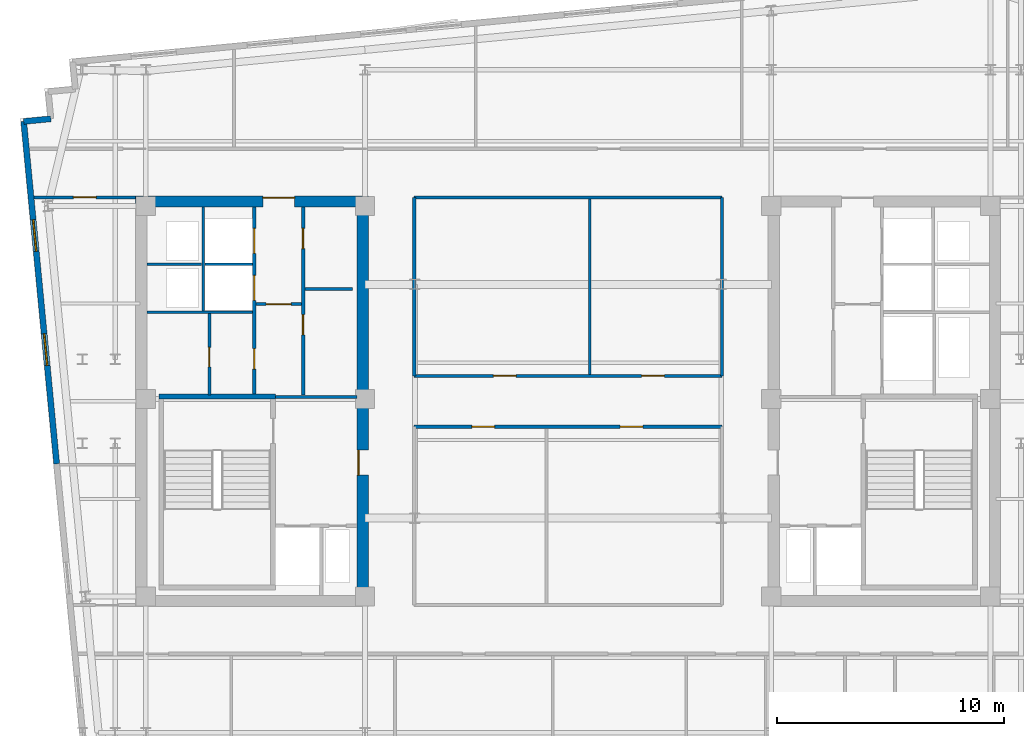
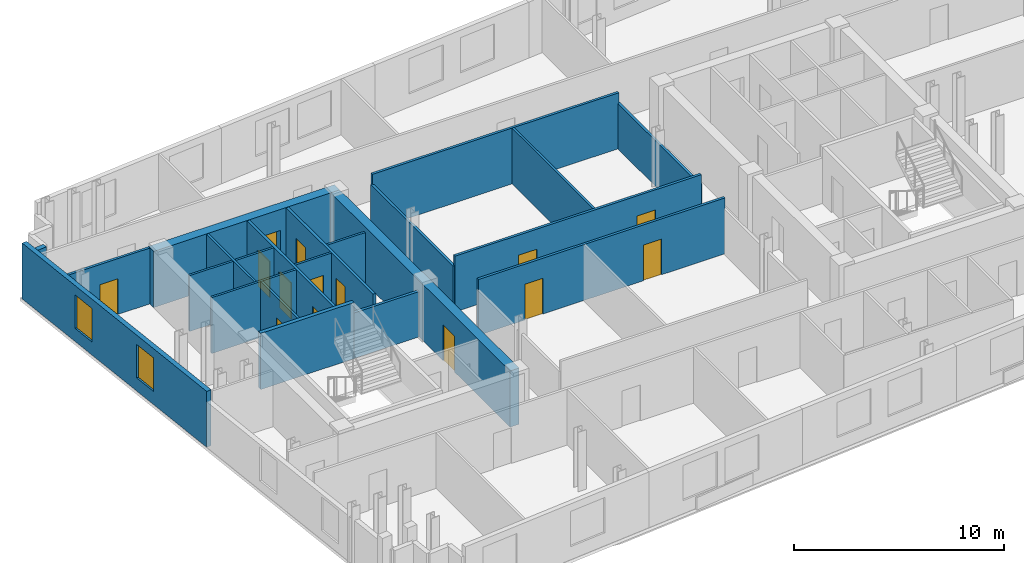
# One storey, part 4 of 9: 22 walls, 14 doors, 2 windows, 16 openings.
"""IFC4 building model written with IfcOpenShell, lengths in metres."""

from ifc_helpers import new_model, si_unit, direction, frame, frame_2d, origin, place, context, subcontext, project, spatial, rectangle, extrude, material, layer, layer_set, type_object, element, fill, save


model = new_model("IFC4")

# Units and contexts
model_context = context("Model", 3, precision=1e-05, world=origin(), true_north=direction((0.0, 1.0)))
body_context = subcontext(model_context, "Body", "Model", "MODEL_VIEW")
ifc_project = project(units=[si_unit("LENGTHUNIT", "METRE"), si_unit("AREAUNIT", "SQUARE_METRE"), si_unit("VOLUMEUNIT", "CUBIC_METRE"), si_unit("PLANEANGLEUNIT", "RADIAN"), si_unit("MASSUNIT", "GRAM", prefix="KILO")], contexts=[model_context])

# Site, building, storey
site_placement = place(None, origin())
site = spatial("IfcSite", under=ifc_project, at=site_placement, CompositionType="ELEMENT")
building_placement = place(site_placement, origin())
building = spatial("IfcBuilding", under=site, at=building_placement, Name="Velakula Bourse", CompositionType="ELEMENT")
storey_placement = place(building_placement, frame((0.0, 0.0, 265.5)))
storey = spatial("IfcBuildingStorey", under=building, at=storey_placement, Name="L72", CompositionType="ELEMENT", Elevation=265.5)

# Wall
ifc_material_1 = material(Name="Concrete M50 (fck 50 MPa)", Category="concrete")
ifc_layer_1 = layer(ifc_material_1, 0.2099609375, Name="Concrete M50 (fck 50 MPa)", Category="concrete")
ifc_layer_set_1 = layer_set([ifc_layer_1], Name="Concrete M50 (fck 50 MPa)")
wall_type_1 = type_object("IfcWallType", Name="WL-CORE-210", PredefinedType="SHEAR", material=ifc_layer_set_1)
wall_1_placement = place(storey_placement, frame((-12.889892578125, 0.205078125, 0.0), z_axis=(0.0, 0.0, 1.0), x_axis=(-1.0, 0.0, 0.0)))
element("IfcWall", 1, at=wall_1_placement, inside=storey, type_object=wall_type_1, Name="L72 Core W Stairwell Shear Wall N", PredefinedType="SHEAR", context=body_context, shape_type="SweptSolid", body=[
    extrude(rectangle(XDim=5.14013671875, YDim=0.2099609375, at=frame_2d((2.570068359375, 0.0))), origin(), (0.0, 0.0, 1.0), 3.27001953125),
])

# Wall, opening, door
ifc_layer_2 = layer(ifc_material_1, 0.5, Name="Concrete M50 (fck 50 MPa)", Category="concrete")
ifc_layer_set_2 = layer_set([ifc_layer_2], Name="Concrete M50 (fck 50 MPa)")
wall_type_2 = type_object("IfcWallType", Name="WL-CORE-500", PredefinedType="SHEAR", material=ifc_layer_set_2)
wall_2_placement = place(storey_placement, frame((-19.050048828125, 8.800048828125, 0.0), z_axis=(0.0, 0.0, 1.0), x_axis=(1.0, 0.0, 0.0)))
wall_2 = element("IfcWall", 2, at=wall_2_placement, inside=storey, type_object=wall_type_2, Name="L72 Core W Shear Wall N", PredefinedType="SHEAR", context=body_context, shape_type="SweptSolid", body=[
    extrude(rectangle(XDim=10.25, YDim=0.5, at=frame_2d((5.125, 0.0))), origin(), (0.0, 0.0, 1.0), 3.27001953125),
])
opening_1_placement = place(wall_2_placement, frame((5.60009765625, 0.0, 0.0)))
opening_1 = element("IfcOpeningElement", 3, at=opening_1_placement, cuts=wall_2, Name="Opening D-LLW", PredefinedType="OPENING", context=body_context, shape_type="SweptSolid", body=[
    extrude(rectangle(XDim=1.39990234375, YDim=2.050048828125, at=frame_2d((0.699951171875, 1.02490234375))), frame((0.0, 0.260009765625, 0.0), z_axis=(0.0, -1.0, 0.0), x_axis=(1.0, 0.0, 0.0)), (0.0, 0.0, 1.0), 0.52001953125),
])
ifc_material_2 = material(Name="Fire-rated hardwood flush architectural door", Category="wood")
door_type_1 = type_object("IfcDoorType", Name="DR-DBL-FD60-1400", OperationType="DOUBLE_DOOR_SINGLE_SWING", PredefinedType="DOOR", material=ifc_material_2)
door_1_placement = place(opening_1_placement, origin())
door_1 = element("IfcDoor", 4, at=door_1_placement, inside=storey, type_object=door_type_1, Name="L72 Core W Lift Lobby Corridor Double Door", OperationType="DOUBLE_DOOR_SINGLE_SWING", OverallHeight=2.050048828125, OverallWidth=1.39990234375, PredefinedType="DOOR", context=body_context, shape_type="SweptSolid", body=[
    extrude(rectangle(XDim=1.39990234375, YDim=2.050048828125, at=frame_2d((0.699951171875, 1.02490234375))), frame((0.0, 0.19482421875, 0.0), z_axis=(0.0, -1.0, 0.0), x_axis=(1.0, 0.0, 0.0)), (0.0, 0.0, 1.0), 0.050048828125),
])
fill(opening_1, door_1)

wall_3_placement = place(storey_placement, frame((-9.050048828125, -8.550048828125, 0.0), z_axis=(0.0, 0.0, 1.0), x_axis=(0.0, 1.0, 0.0)))
wall_3 = element("IfcWall", 5, at=wall_3_placement, inside=storey, type_object=wall_type_2, Name="L72 Core W Shear Wall E", PredefinedType="SHEAR", context=body_context, shape_type="SweptSolid", body=[
    extrude(rectangle(XDim=17.10009765625, YDim=0.5, at=frame_2d((8.550048828125, 0.0))), origin(), (0.0, 0.0, 1.0), 3.27001953125),
])
opening_2_placement = place(wall_3_placement, frame((5.300048828125, 0.0, 0.0)))
opening_2 = element("IfcOpeningElement", 6, at=opening_2_placement, cuts=wall_3, Name="Opening D-FLW", PredefinedType="OPENING", context=body_context, shape_type="SweptSolid", body=[
    extrude(rectangle(XDim=1.10009765625, YDim=2.080078125, at=frame_2d((0.550048828125, 1.0400390625))), frame((0.0, 0.260009765625, 0.0), z_axis=(0.0, -1.0, 0.0), x_axis=(1.0, 0.0, 0.0)), (0.0, 0.0, 1.0), 0.52001953125),
])
ifc_material_3 = material(Name="Galvanised painted hollow steel fire door", Category="steel")
door_type_2 = type_object("IfcDoorType", Name="DR-FD120-1100", OperationType="NOTDEFINED", PredefinedType="DOOR", material=ifc_material_3)
door_2_placement = place(opening_2_placement, origin())
door_2 = element("IfcDoor", 7, at=door_2_placement, inside=storey, type_object=door_type_2, Name="L72 Firefighting Lobby W Corridor Fire Door", OperationType="SINGLE_SWING_LEFT", OverallHeight=2.080078125, OverallWidth=1.10009765625, PredefinedType="DOOR", context=body_context, shape_type="SweptSolid", body=[
    extrude(rectangle(XDim=1.10009765625, YDim=2.080078125, at=frame_2d((0.550048828125, 1.0400390625))), frame((0.0, 0.205078125, 0.0), z_axis=(0.0, -1.0, 0.0), x_axis=(1.0, 0.0, 0.0)), (0.0, 0.0, 1.0), 0.050048828125),
])
fill(opening_2, door_2)

# Wall, openings, windows
ifc_material_4 = material(Name="Buff kilned clay facing brick masonry", Category="masonry")
ifc_layer_3 = layer(ifc_material_4, 0.260009765625, Name="Buff kilned clay facing brick masonry", Category="masonry")
ifc_layer_set_3 = layer_set([ifc_layer_3], Name="Buff kilned clay facing brick masonry")
wall_type_3 = type_object("IfcWallType", Name="WL-EXT-BRK-260", PredefinedType="STANDARD", material=ifc_layer_set_3)
wall_4_placement = place(storey_placement, frame((-22.52734375, -2.75439453125, 0.0), z_axis=(0.0, 0.0, 1.0), x_axis=(-0.095850890337, 0.995395703638, 0.0)))
wall_4 = element("IfcWall", 8, at=wall_4_placement, inside=storey, type_object=wall_type_3, Name="L72 W Brick End Wall W2", PredefinedType="STANDARD", context=body_context, shape_type="SweptSolid", body=[
    extrude(rectangle(XDim=15.150146484375, YDim=0.260009765625, at=frame_2d((7.5751953125, 0.0))), origin(), (0.0, 0.0, 1.0), 3.25),
])
opening_3_placement = place(wall_4_placement, frame((4.35009765625, 0.0, 0.760009765625)))
opening_3 = element("IfcOpeningElement", 9, at=opening_3_placement, cuts=wall_4, Name="Opening W-03", PredefinedType="OPENING", context=body_context, shape_type="SweptSolid", body=[
    extrude(rectangle(XDim=1.39990234375, YDim=1.949951171875, at=frame_2d((0.699951171875, 0.97509765625))), frame((0.0, 0.139892578125, 0.0), z_axis=(0.0, -1.0, 0.0), x_axis=(1.0, 0.0, 0.0)), (0.0, 0.0, 1.0), 0.280029296875),
])
opening_4_placement = place(wall_4_placement, frame((9.39990234375, 0.0, 0.760009765625)))
opening_4 = element("IfcOpeningElement", 10, at=opening_4_placement, cuts=wall_4, Name="Opening W-03", PredefinedType="OPENING", context=body_context, shape_type="SweptSolid", body=[
    extrude(rectangle(XDim=1.39990234375, YDim=1.949951171875, at=frame_2d((0.699951171875, 0.97509765625))), frame((0.0, 0.139892578125, 0.0), z_axis=(0.0, -1.0, 0.0), x_axis=(1.0, 0.0, 0.0)), (0.0, 0.0, 1.0), 0.280029296875),
])
ifc_material_5 = material(Name="Double-glazed solar-control Low-E glass", Category="glass")
window_type = type_object("IfcWindowType", Name="WIN-TWR-1400x2100", PartitioningType="SINGLE_PANEL", PredefinedType="WINDOW", material=ifc_material_5)
window_1_placement = place(opening_3_placement, origin())
window_1 = element("IfcWindow", 11, at=window_1_placement, inside=storey, type_object=window_type, Name="L72 Deep-Set Recessed Window 1", OverallHeight=1.949951171875, OverallWidth=1.39990234375, PartitioningType="SINGLE_PANEL", PredefinedType="WINDOW", context=body_context, shape_type="SweptSolid", body=[
    extrude(rectangle(XDim=1.39990234375, YDim=1.949951171875, at=frame_2d((0.699951171875, 0.97509765625))), frame((0.0, 0.030029296875, 0.0), z_axis=(0.0, -1.0, 0.0), x_axis=(1.0, 0.0, 0.0)), (0.0, 0.0, 1.0), 0.06005859375),
])
fill(opening_3, window_1)
window_2_placement = place(opening_4_placement, origin())
window_2 = element("IfcWindow", 12, at=window_2_placement, inside=storey, type_object=window_type, Name="L72 Deep-Set Recessed Window 2", OverallHeight=1.949951171875, OverallWidth=1.39990234375, PartitioningType="SINGLE_PANEL", PredefinedType="WINDOW", context=body_context, shape_type="SweptSolid", body=[
    extrude(rectangle(XDim=1.39990234375, YDim=1.949951171875, at=frame_2d((0.699951171875, 0.97509765625))), frame((0.0, 0.030029296875, 0.0), z_axis=(0.0, -1.0, 0.0), x_axis=(1.0, 0.0, 0.0)), (0.0, 0.0, 1.0), 0.06005859375),
])
fill(opening_4, window_2)

# Wall
wall_5_placement = place(storey_placement, frame((-22.784912109375, 12.44091796875, 0.0), z_axis=(0.0, 0.0, 1.0), x_axis=(-0.995398960025, -0.095817067274, 0.0)))
element("IfcWall", 13, at=wall_5_placement, inside=storey, type_object=wall_type_3, Name="L72 Serrated Corner Brick Wall NW-4", PredefinedType="STANDARD", context=body_context, shape_type="SweptSolid", body=[
    extrude(rectangle(XDim=1.2001953125, YDim=0.260009765625, at=frame_2d((0.60009765625, 0.0))), origin(), (0.0, 0.0, 1.0), 2.56494140625),
])

# Wall, opening, door
ifc_material_6 = material(Name="Fire-rated double-layer gypsum drywall partition", Category="gypsum")
ifc_layer_4 = layer(ifc_material_6, 0.1201171875, Name="Fire-rated double-layer gypsum drywall partition", Category="gypsum")
ifc_layer_set_4 = layer_set([ifc_layer_4], Name="Fire-rated double-layer gypsum drywall partition")
wall_type_4 = type_object("IfcWallType", Name="WL-PART-120", PredefinedType="STANDARD", material=ifc_layer_set_4)
wall_6_placement = place(storey_placement, frame((-13.75, 4.280029296875, 0.0), z_axis=(0.0, 0.0, 1.0), x_axis=(1.0, 0.0, 0.0)))
wall_6 = element("IfcWall", 14, at=wall_6_placement, inside=storey, type_object=wall_type_4, Name="L72 Interior Partition WL-CRW-L72-LL-K2", PredefinedType="STANDARD", context=body_context, shape_type="SweptSolid", body=[
    extrude(rectangle(XDim=2.0, YDim=0.1201171875, at=frame_2d((1.0, 0.0))), origin(), (0.0, 0.0, 1.0), 3.25),
])
opening_5_placement = place(wall_6_placement, frame((0.449951171875, 0.0, 0.0)))
opening_5 = element("IfcOpeningElement", 15, at=opening_5_placement, cuts=wall_6, Name="Opening D-LK2", PredefinedType="OPENING", context=body_context, shape_type="SweptSolid", body=[
    extrude(rectangle(XDim=1.10009765625, YDim=2.10009765625, at=frame_2d((0.550048828125, 1.050048828125))), frame((0.0, 0.070068359375, 0.0), z_axis=(0.0, -1.0, 0.0), x_axis=(1.0, 0.0, 0.0)), (0.0, 0.0, 1.0), 0.14013671875),
])
door_type_3 = type_object("IfcDoorType", Name="DR-FD60-1100x2100", OperationType="NOTDEFINED", PredefinedType="DOOR", material=ifc_material_2)
door_3_placement = place(opening_5_placement, origin())
door_3 = element("IfcDoor", 16, at=door_3_placement, inside=storey, type_object=door_type_3, Name="L72 Core W Lift Lobby Zone Door", OperationType="SINGLE_SWING_RIGHT", OverallHeight=2.10009765625, OverallWidth=1.10009765625, PredefinedType="DOOR", context=body_context, shape_type="SweptSolid", body=[
    extrude(rectangle(XDim=1.10009765625, YDim=2.10009765625, at=frame_2d((0.550048828125, 1.050048828125))), frame((0.0, 0.02490234375, 0.0), z_axis=(0.0, -1.0, 0.0), x_axis=(1.0, 0.0, 0.0)), (0.0, 0.0, 1.0), 0.050048828125),
])
fill(opening_5, door_3)

# Walls
wall_7_placement = place(storey_placement, frame((-11.60009765625, 4.949951171875, 0.0), z_axis=(0.0, 0.0, 1.0), x_axis=(1.0, 0.0, 0.0)))
element("IfcWall", 17, at=wall_7_placement, inside=storey, type_object=wall_type_4, Name="L72 Interior Partition WL-CRW-L72-RCDIV", PredefinedType="STANDARD", context=body_context, shape_type="SweptSolid", body=[
    extrude(rectangle(XDim=2.10009765625, YDim=0.1201171875, at=frame_2d((1.050048828125, 0.0))), origin(), (0.0, 0.0, 1.0), 3.25),
])
wall_8_placement = place(storey_placement, frame((-18.550048828125, 3.919921875, 0.0), z_axis=(0.0, 0.0, 1.0), x_axis=(1.0, 0.0, 0.0)))
element("IfcWall", 18, at=wall_8_placement, inside=storey, type_object=wall_type_4, Name="L72 Interior Partition WL-CRW-L72-HI-S", PredefinedType="STANDARD", context=body_context, shape_type="SweptSolid", body=[
    extrude(rectangle(XDim=4.650146484375, YDim=0.1201171875, at=frame_2d((2.3251953125, 0.0))), origin(), (0.0, 0.0, 1.0), 3.25),
])
wall_9_placement = place(storey_placement, frame((-18.550048828125, 6.030029296875, 0.0), z_axis=(0.0, 0.0, 1.0), x_axis=(1.0, 0.0, 0.0)))
element("IfcWall", 19, at=wall_9_placement, inside=storey, type_object=wall_type_4, Name="L72 Interior Partition WL-CRW-L72-RIS-MID", PredefinedType="STANDARD", context=body_context, shape_type="SweptSolid", body=[
    extrude(rectangle(XDim=2.400146484375, YDim=0.1201171875, at=frame_2d((1.2001953125, 0.0))), origin(), (0.0, 0.0, 1.0), 3.25),
])
wall_10_placement = place(storey_placement, frame((-16.074951171875, 3.97998046875, 0.0), z_axis=(0.0, 0.0, 1.0), x_axis=(0.0, 1.0, 0.0)))
element("IfcWall", 20, at=wall_10_placement, inside=storey, type_object=wall_type_4, Name="L72 Interior Partition WL-CRW-L72-RIS-F", PredefinedType="STANDARD", context=body_context, shape_type="SweptSolid", body=[
    extrude(rectangle(XDim=4.570068359375, YDim=0.1201171875, at=frame_2d((2.28515625, 0.0))), origin(), (0.0, 0.0, 1.0), 3.25),
])
wall_11_placement = place(storey_placement, frame((-16.0, 6.030029296875, 0.0), z_axis=(0.0, 0.0, 1.0), x_axis=(1.0, 0.0, 0.0)))
element("IfcWall", 21, at=wall_11_placement, inside=storey, type_object=wall_type_4, Name="L72 Interior Partition WL-CRW-L72-HI-DIV", PredefinedType="STANDARD", context=body_context, shape_type="SweptSolid", body=[
    extrude(rectangle(XDim=2.10009765625, YDim=0.1201171875, at=frame_2d((1.050048828125, 0.0))), origin(), (0.0, 0.0, 1.0), 3.25),
])

# Wall, opening, door
wall_12_placement = place(storey_placement, frame((-15.800048828125, 0.27001953125, 0.0), z_axis=(0.0, 0.0, 1.0), x_axis=(0.0, 1.0, 0.0)))
wall_12 = element("IfcWall", 22, at=wall_12_placement, inside=storey, type_object=wall_type_4, Name="L72 Interior Partition WL-CRW-L72-K2", PredefinedType="STANDARD", context=body_context, shape_type="SweptSolid", body=[
    extrude(rectangle(XDim=3.590087890625, YDim=0.1201171875, at=frame_2d((1.794921875, 0.0))), origin(), (0.0, 0.0, 1.0), 3.25),
])
opening_6_placement = place(wall_12_placement, frame((1.25, 0.0, 0.0)))
opening_6 = element("IfcOpeningElement", 23, at=opening_6_placement, cuts=wall_12, Name="Opening D-CE1", PredefinedType="OPENING", context=body_context, shape_type="SweptSolid", body=[
    extrude(rectangle(XDim=0.85009765625, YDim=2.050048828125, at=frame_2d((0.425048828125, 1.02490234375))), frame((0.0, 0.070068359375, 0.0), z_axis=(0.0, -1.0, 0.0), x_axis=(1.0, 0.0, 0.0)), (0.0, 0.0, 1.0), 0.14013671875),
])
door_type_4 = type_object("IfcDoorType", Name="DR-INT-850", OperationType="NOTDEFINED", PredefinedType="DOOR", material=ifc_material_2)
door_4_placement = place(opening_6_placement, origin())
door_4 = element("IfcDoor", 24, at=door_4_placement, inside=storey, type_object=door_type_4, Name="L72 Core Equipment Store Door", OperationType="SINGLE_SWING_RIGHT", OverallHeight=2.050048828125, OverallWidth=0.85009765625, PredefinedType="DOOR", context=body_context, shape_type="SweptSolid", body=[
    extrude(rectangle(XDim=0.85009765625, YDim=2.050048828125, at=frame_2d((0.425048828125, 1.02490234375))), frame((0.0, 0.02490234375, 0.0), z_axis=(0.0, -1.0, 0.0), x_axis=(1.0, 0.0, 0.0)), (0.0, 0.0, 1.0), 0.050048828125),
])
fill(opening_6, door_4)

ifc_layer_5 = layer(ifc_material_6, 0.139892578125, Name="Fire-rated double-layer gypsum drywall partition", Category="gypsum")
ifc_layer_set_5 = layer_set([ifc_layer_5], Name="Fire-rated double-layer gypsum drywall partition")
wall_type_5 = type_object("IfcWallType", Name="WL-PART-140", PredefinedType="STANDARD", material=ifc_layer_set_5)
wall_13_placement = place(storey_placement, frame((-23.526611328125, 8.97998046875, 0.0), z_axis=(0.0, 0.0, 1.0), x_axis=(1.0, 0.0, 0.0)))
wall_13 = element("IfcWall", 25, at=wall_13_placement, inside=storey, type_object=wall_type_5, Name="L72 Interior Partition WL-INT-L72-W-NC", PredefinedType="STANDARD", context=body_context, shape_type="SweptSolid", body=[
    extrude(rectangle(XDim=4.4765625, YDim=0.139892578125, at=frame_2d((2.23828125, 0.0))), origin(), (0.0, 0.0, 1.0), 3.25),
])
opening_7_placement = place(wall_13_placement, frame((1.73828125, 0.0, 0.0)))
opening_7 = element("IfcOpeningElement", 26, at=opening_7_placement, cuts=wall_13, Name="Opening D-OF1", PredefinedType="OPENING", context=body_context, shape_type="SweptSolid", body=[
    extrude(rectangle(XDim=1.0, YDim=2.080078125, at=frame_2d((0.5, 1.0400390625))), frame((0.0, 0.079833984375, 0.0), z_axis=(0.0, -1.0, 0.0), x_axis=(1.0, 0.0, 0.0)), (0.0, 0.0, 1.0), 0.159912109375),
])
door_type_5 = type_object("IfcDoorType", Name="DR-OFF-1000", OperationType="NOTDEFINED", PredefinedType="DOOR", material=ifc_material_2)
door_5_placement = place(opening_7_placement, origin())
door_5 = element("IfcDoor", 27, at=door_5_placement, inside=storey, type_object=door_type_5, Name="L72 Company Secretary Office Door", OperationType="SINGLE_SWING_LEFT", OverallHeight=2.080078125, OverallWidth=1.0, PredefinedType="DOOR", context=body_context, shape_type="SweptSolid", body=[
    extrude(rectangle(XDim=1.0, YDim=2.080078125, at=frame_2d((0.5, 1.0400390625))), frame((0.0, 0.02490234375, 0.0), z_axis=(0.0, -1.0, 0.0), x_axis=(1.0, 0.0, 0.0)), (0.0, 0.0, 1.0), 0.050048828125),
])
fill(opening_7, door_5)

# Wall, openings, doors
wall_14_placement = place(storey_placement, frame((-6.780029296875, 1.1201171875, 0.0), z_axis=(0.0, 0.0, 1.0), x_axis=(1.0, 0.0, 0.0)))
wall_14 = element("IfcWall", 28, at=wall_14_placement, inside=storey, type_object=wall_type_5, Name="L72 Interior Partition WL-INT-L72-MN-IN", PredefinedType="STANDARD", context=body_context, shape_type="SweptSolid", body=[
    extrude(rectangle(XDim=13.56005859375, YDim=0.139892578125, at=frame_2d((6.780029296875, 0.0))), origin(), (0.0, 0.0, 1.0), 3.25),
])
opening_8_placement = place(wall_14_placement, frame((3.490966796875, 0.0, 0.0)))
opening_8 = element("IfcOpeningElement", 29, at=opening_8_placement, cuts=wall_14, Name="Opening D-OF1", PredefinedType="OPENING", context=body_context, shape_type="SweptSolid", body=[
    extrude(rectangle(XDim=1.0, YDim=2.080078125, at=frame_2d((0.5, 1.0400390625))), frame((0.0, 0.079833984375, 0.0), z_axis=(0.0, -1.0, 0.0), x_axis=(1.0, 0.0, 0.0)), (0.0, 0.0, 1.0), 0.159912109375),
])
opening_9_placement = place(wall_14_placement, frame((10.01904296875, 0.0, 0.0)))
opening_9 = element("IfcOpeningElement", 30, at=opening_9_placement, cuts=wall_14, Name="Opening D-OF1", PredefinedType="OPENING", context=body_context, shape_type="SweptSolid", body=[
    extrude(rectangle(XDim=1.0, YDim=2.080078125, at=frame_2d((0.5, 1.0400390625))), frame((0.0, 0.079833984375, 0.0), z_axis=(0.0, -1.0, 0.0), x_axis=(1.0, 0.0, 0.0)), (0.0, 0.0, 1.0), 0.159912109375),
])
door_6_placement = place(opening_8_placement, origin())
door_6 = element("IfcDoor", 31, at=door_6_placement, inside=storey, type_object=door_type_5, Name="L72 Issuer Relations Office Door", OperationType="SINGLE_SWING_LEFT", OverallHeight=2.080078125, OverallWidth=1.0, PredefinedType="DOOR", context=body_context, shape_type="SweptSolid", body=[
    extrude(rectangle(XDim=1.0, YDim=2.080078125, at=frame_2d((0.5, 1.0400390625))), frame((0.0, 0.02490234375, 0.0), z_axis=(0.0, -1.0, 0.0), x_axis=(1.0, 0.0, 0.0)), (0.0, 0.0, 1.0), 0.050048828125),
])
fill(opening_8, door_6)
door_7_placement = place(opening_9_placement, origin())
door_7 = element("IfcDoor", 32, at=door_7_placement, inside=storey, type_object=door_type_5, Name="L72 Asset Allocation Office Door", OperationType="SINGLE_SWING_RIGHT", OverallHeight=2.080078125, OverallWidth=1.0, PredefinedType="DOOR", context=body_context, shape_type="SweptSolid", body=[
    extrude(rectangle(XDim=1.0, YDim=2.080078125, at=frame_2d((0.5, 1.0400390625))), frame((0.0, 0.02490234375, 0.0), z_axis=(0.0, -1.0, 0.0), x_axis=(1.0, 0.0, 0.0)), (0.0, 0.0, 1.0), 0.050048828125),
])
fill(opening_9, door_7)

# Walls
wall_15_placement = place(storey_placement, frame((-6.780029296875, 8.97998046875, 0.0), z_axis=(0.0, 0.0, 1.0), x_axis=(1.0, 0.0, 0.0)))
element("IfcWall", 33, at=wall_15_placement, inside=storey, type_object=wall_type_5, Name="L72 Interior Partition WL-INT-L72-MN-OUT", PredefinedType="STANDARD", context=body_context, shape_type="SweptSolid", body=[
    extrude(rectangle(XDim=13.56005859375, YDim=0.139892578125, at=frame_2d((6.780029296875, 0.0))), origin(), (0.0, 0.0, 1.0), 3.25),
])
for number, where, z_axis, x_axis, name in (
    (34, (-6.780029296875, 1.1201171875, 0.0), (0.0, 0.0, 1.0), (0.0, 1.0, 0.0), "L72 Interior Partition WL-INT-L72-MN-W"),
    (35, (6.780029296875, 1.1201171875, 0.0), (0.0, 0.0, 1.0), (0.0, 1.0, 0.0), "L72 Interior Partition WL-INT-L72-MN-E"),
):
    element("IfcWall", number, at=place(storey_placement, frame(where, z_axis=z_axis, x_axis=x_axis)), inside=storey, type_object=wall_type_5, Name=name, PredefinedType="STANDARD", context=body_context, shape_type="SweptSolid", body=[
        extrude(rectangle(XDim=7.85986328125, YDim=0.139892578125, at=frame_2d((3.929931640625, 0.0))), origin(), (0.0, 0.0, 1.0), 2.64501953125),
    ])
wall_16_placement = place(storey_placement, frame((0.949951171875, 1.18994140625, 0.0), z_axis=(0.0, 0.0, 1.0), x_axis=(0.0, 1.0, 0.0)))
element("IfcWall", 36, at=wall_16_placement, inside=storey, type_object=wall_type_5, Name="L72 Interior Partition WL-INT-L72-MN-V1", PredefinedType="STANDARD", context=body_context, shape_type="SweptSolid", body=[
    extrude(rectangle(XDim=7.719970703125, YDim=0.1201171875, at=frame_2d((3.85986328125, 0.0))), origin(), (0.0, 0.0, 1.0), 3.25),
])

# Wall, openings, doors
wall_17_placement = place(storey_placement, frame((-6.780029296875, -1.1201171875, 0.0), z_axis=(0.0, 0.0, 1.0), x_axis=(1.0, 0.0, 0.0)))
wall_17 = element("IfcWall", 37, at=wall_17_placement, inside=storey, type_object=wall_type_5, Name="L72 Interior Partition WL-INT-L72-MS-IN", PredefinedType="STANDARD", context=body_context, shape_type="SweptSolid", body=[
    extrude(rectangle(XDim=13.56005859375, YDim=0.139892578125, at=frame_2d((6.780029296875, 0.0))), origin(), (0.0, 0.0, 1.0), 3.25),
])
opening_10_placement = place(wall_17_placement, frame((2.541015625, 0.0, 0.0)))
opening_10 = element("IfcOpeningElement", 38, at=opening_10_placement, cuts=wall_17, Name="Opening D-OF1", PredefinedType="OPENING", context=body_context, shape_type="SweptSolid", body=[
    extrude(rectangle(XDim=1.0, YDim=2.080078125, at=frame_2d((0.5, 1.0400390625))), frame((0.0, 0.079833984375, 0.0), z_axis=(0.0, -1.0, 0.0), x_axis=(1.0, 0.0, 0.0)), (0.0, 0.0, 1.0), 0.159912109375),
])
opening_11_placement = place(wall_17_placement, frame((9.069091796875, 0.0, 0.0)))
opening_11 = element("IfcOpeningElement", 39, at=opening_11_placement, cuts=wall_17, Name="Opening D-OF1", PredefinedType="OPENING", context=body_context, shape_type="SweptSolid", body=[
    extrude(rectangle(XDim=1.0, YDim=2.080078125, at=frame_2d((0.5, 1.0400390625))), frame((0.0, 0.079833984375, 0.0), z_axis=(0.0, -1.0, 0.0), x_axis=(1.0, 0.0, 0.0)), (0.0, 0.0, 1.0), 0.159912109375),
])
door_8_placement = place(opening_10_placement, origin())
door_8 = element("IfcDoor", 40, at=door_8_placement, inside=storey, type_object=door_type_5, Name="L72 Company Secretary Office Door", OperationType="SINGLE_SWING_LEFT", OverallHeight=2.080078125, OverallWidth=1.0, PredefinedType="DOOR", context=body_context, shape_type="SweptSolid", body=[
    extrude(rectangle(XDim=1.0, YDim=2.080078125, at=frame_2d((0.5, 1.0400390625))), frame((0.0, 0.02490234375, 0.0), z_axis=(0.0, -1.0, 0.0), x_axis=(1.0, 0.0, 0.0)), (0.0, 0.0, 1.0), 0.050048828125),
])
fill(opening_10, door_8)
door_9_placement = place(opening_11_placement, origin())
door_9 = element("IfcDoor", 41, at=door_9_placement, inside=storey, type_object=door_type_5, Name="L72 General Counsel Office Door", OperationType="SINGLE_SWING_RIGHT", OverallHeight=2.080078125, OverallWidth=1.0, PredefinedType="DOOR", context=body_context, shape_type="SweptSolid", body=[
    extrude(rectangle(XDim=1.0, YDim=2.080078125, at=frame_2d((0.5, 1.0400390625))), frame((0.0, 0.02490234375, 0.0), z_axis=(0.0, -1.0, 0.0), x_axis=(1.0, 0.0, 0.0)), (0.0, 0.0, 1.0), 0.050048828125),
])
fill(opening_11, door_9)

# Wall
ifc_material_7 = material(Name="Autoclaved aerated concrete blockwork masonry", Category="masonry")
ifc_layer_6 = layer(ifc_material_7, 0.14990234375, Name="Autoclaved aerated concrete blockwork masonry", Category="masonry")
ifc_layer_set_6 = layer_set([ifc_layer_6], Name="Autoclaved aerated concrete blockwork masonry")
wall_type_6 = type_object("IfcWallType", Name="WL-SHAFT-150", PredefinedType="STANDARD", material=ifc_layer_set_6)
wall_18_placement = place(storey_placement, frame((-12.889892578125, 0.18994140625, 0.0), z_axis=(0.0, 0.0, 1.0), x_axis=(1.0, 0.0, 0.0)))
element("IfcWall", 42, at=wall_18_placement, inside=storey, type_object=wall_type_6, Name="L72 Interior Partition WL-CRW-L72-FF-TOP", PredefinedType="STANDARD", context=body_context, shape_type="SweptSolid", body=[
    extrude(rectangle(XDim=3.58984375, YDim=0.14990234375, at=frame_2d((1.794921875, 0.0))), origin(), (0.0, 0.0, 1.0), 2.64501953125),
])

# Wall, openings, doors
wall_19_placement = place(storey_placement, frame((-11.675048828125, 0.27001953125, 0.0), z_axis=(0.0, 0.0, 1.0), x_axis=(0.0, 1.0, 0.0)))
wall_19 = element("IfcWall", 43, at=wall_19_placement, inside=storey, type_object=wall_type_6, Name="L72 Interior Partition WL-CRW-L72-BANK-F", PredefinedType="STANDARD", context=body_context, shape_type="SweptSolid", body=[
    extrude(rectangle(XDim=8.280029296875, YDim=0.14990234375, at=frame_2d((4.14013671875, 0.0))), origin(), (0.0, 0.0, 1.0), 3.25),
])
opening_12_placement = place(wall_19_placement, frame((2.64990234375, 0.0, 0.0)))
opening_12 = element("IfcOpeningElement", 44, at=opening_12_placement, cuts=wall_19, Name="Opening D-RC1", PredefinedType="OPENING", context=body_context, shape_type="SweptSolid", body=[
    extrude(rectangle(XDim=0.89990234375, YDim=2.050048828125, at=frame_2d((0.449951171875, 1.02490234375))), frame((0.0, 0.0849609375, 0.0), z_axis=(0.0, -1.0, 0.0), x_axis=(1.0, 0.0, 0.0)), (0.0, 0.0, 1.0), 0.169921875),
])
opening_13_placement = place(wall_19_placement, frame((6.449951171875, 0.0, 0.0)))
opening_13 = element("IfcOpeningElement", 45, at=opening_13_placement, cuts=wall_19, Name="Opening D-RC1", PredefinedType="OPENING", context=body_context, shape_type="SweptSolid", body=[
    extrude(rectangle(XDim=0.89990234375, YDim=2.050048828125, at=frame_2d((0.449951171875, 1.02490234375))), frame((0.0, 0.0849609375, 0.0), z_axis=(0.0, -1.0, 0.0), x_axis=(1.0, 0.0, 0.0)), (0.0, 0.0, 1.0), 0.169921875),
])
door_type_6 = type_object("IfcDoorType", Name="DR-FD60-900", OperationType="NOTDEFINED", PredefinedType="DOOR", material=ifc_material_2)
door_10_placement = place(opening_12_placement, origin())
door_10 = element("IfcDoor", 46, at=door_10_placement, inside=storey, type_object=door_type_6, Name="L72 Reclaimed Archive Room Door", OperationType="SINGLE_SWING_RIGHT", OverallHeight=2.050048828125, OverallWidth=0.89990234375, PredefinedType="DOOR", context=body_context, shape_type="SweptSolid", body=[
    extrude(rectangle(XDim=0.89990234375, YDim=2.050048828125, at=frame_2d((0.449951171875, 1.02490234375))), frame((0.0, 0.02490234375, 0.0), z_axis=(0.0, -1.0, 0.0), x_axis=(1.0, 0.0, 0.0)), (0.0, 0.0, 1.0), 0.050048828125),
])
fill(opening_12, door_10)
door_11_placement = place(opening_13_placement, origin())
door_11 = element("IfcDoor", 47, at=door_11_placement, inside=storey, type_object=door_type_6, Name="L72 Reclaimed Registry Store Door", OperationType="SINGLE_SWING_LEFT", OverallHeight=2.050048828125, OverallWidth=0.89990234375, PredefinedType="DOOR", context=body_context, shape_type="SweptSolid", body=[
    extrude(rectangle(XDim=0.89990234375, YDim=2.050048828125, at=frame_2d((0.449951171875, 1.02490234375))), frame((0.0, 0.02490234375, 0.0), z_axis=(0.0, -1.0, 0.0), x_axis=(1.0, 0.0, 0.0)), (0.0, 0.0, 1.0), 0.050048828125),
])
fill(opening_13, door_11)

wall_20_placement = place(storey_placement, frame((-13.824951171875, 0.27001953125, 0.0), z_axis=(0.0, 0.0, 1.0), x_axis=(0.0, 1.0, 0.0)))
wall_20 = element("IfcWall", 48, at=wall_20_placement, inside=storey, type_object=wall_type_6, Name="L72 Interior Partition WL-CRW-L72-OUT-F", PredefinedType="STANDARD", context=body_context, shape_type="SweptSolid", body=[
    extrude(rectangle(XDim=8.280029296875, YDim=0.14990234375, at=frame_2d((4.14013671875, 0.0))), origin(), (0.0, 0.0, 1.0), 3.25),
])
opening_14_placement = place(wall_20_placement, frame((4.175048828125, 0.0, 0.0)))
opening_14 = element("IfcOpeningElement", 49, at=opening_14_placement, cuts=wall_20, Name="Opening LD-P9", PredefinedType="OPENING", context=body_context, shape_type="SweptSolid", body=[
    extrude(rectangle(XDim=1.10009765625, YDim=2.10009765625, at=frame_2d((0.550048828125, 1.050048828125))), frame((0.0, 0.0849609375, 0.0), z_axis=(0.0, -1.0, 0.0), x_axis=(1.0, 0.0, 0.0)), (0.0, 0.0, 1.0), 0.169921875),
])
opening_15_placement = place(wall_20_placement, frame((6.2451171875, 0.0, 0.0)))
opening_15 = element("IfcOpeningElement", 50, at=opening_15_placement, cuts=wall_20, Name="Opening LD-P10", PredefinedType="OPENING", context=body_context, shape_type="SweptSolid", body=[
    extrude(rectangle(XDim=1.10009765625, YDim=2.10009765625, at=frame_2d((0.550048828125, 1.050048828125))), frame((0.0, 0.0849609375, 0.0), z_axis=(0.0, -1.0, 0.0), x_axis=(1.0, 0.0, 0.0)), (0.0, 0.0, 1.0), 0.169921875),
])
opening_16_placement = place(wall_20_placement, frame((1.14990234375, 0.0, 0.0)))
opening_16 = element("IfcOpeningElement", 51, at=opening_16_placement, cuts=wall_20, Name="Opening D-CP1", PredefinedType="OPENING", context=body_context, shape_type="SweptSolid", body=[
    extrude(rectangle(XDim=0.89990234375, YDim=2.050048828125, at=frame_2d((0.449951171875, 1.02490234375))), frame((0.0, 0.0849609375, 0.0), z_axis=(0.0, -1.0, 0.0), x_axis=(1.0, 0.0, 0.0)), (0.0, 0.0, 1.0), 0.169921875),
])
door_type_7 = type_object("IfcDoorType", Name="DR-INT-900", OperationType="NOTDEFINED", PredefinedType="DOOR", material=ifc_material_2)
door_12_placement = place(opening_16_placement, origin())
door_12 = element("IfcDoor", 52, at=door_12_placement, inside=storey, type_object=door_type_7, Name="L72 Core Tea Pantry Door", OperationType="SINGLE_SWING_RIGHT", OverallHeight=2.050048828125, OverallWidth=0.89990234375, PredefinedType="DOOR", context=body_context, shape_type="SweptSolid", body=[
    extrude(rectangle(XDim=0.89990234375, YDim=2.050048828125, at=frame_2d((0.449951171875, 1.02490234375))), frame((0.0, 0.02490234375, 0.0), z_axis=(0.0, -1.0, 0.0), x_axis=(1.0, 0.0, 0.0)), (0.0, 0.0, 1.0), 0.050048828125),
])
fill(opening_16, door_12)
ifc_material_8 = material(Name="Brushed grade 316 stainless steel", Category="steel")
door_type_8 = type_object("IfcDoorType", Name="DR-SLIDE-LD-1100", OperationType="DOUBLE_DOOR_SLIDING", PredefinedType="DOOR", material=ifc_material_8)
door_13_placement = place(opening_14_placement, origin())
door_13 = element("IfcDoor", 53, at=door_13_placement, inside=storey, type_object=door_type_8, Name="L72 Passenger Lift P9 Sliding Landing Door", OperationType="DOUBLE_DOOR_SLIDING", OverallHeight=2.10009765625, OverallWidth=1.10009765625, PredefinedType="DOOR", context=body_context, shape_type="SweptSolid", body=[
    extrude(rectangle(XDim=1.10009765625, YDim=2.10009765625, at=frame_2d((0.550048828125, 1.050048828125))), frame((0.0, 0.02490234375, 0.0), z_axis=(0.0, -1.0, 0.0), x_axis=(1.0, 0.0, 0.0)), (0.0, 0.0, 1.0), 0.050048828125),
])
fill(opening_14, door_13)
door_14_placement = place(opening_15_placement, origin())
door_14 = element("IfcDoor", 54, at=door_14_placement, inside=storey, type_object=door_type_8, Name="L72 Passenger Lift P10 Sliding Landing Door", OperationType="DOUBLE_DOOR_SLIDING", OverallHeight=2.10009765625, OverallWidth=1.10009765625, PredefinedType="DOOR", context=body_context, shape_type="SweptSolid", body=[
    extrude(rectangle(XDim=1.10009765625, YDim=2.10009765625, at=frame_2d((0.550048828125, 1.050048828125))), frame((0.0, 0.02490234375, 0.0), z_axis=(0.0, -1.0, 0.0), x_axis=(1.0, 0.0, 0.0)), (0.0, 0.0, 1.0), 0.050048828125),
])
fill(opening_15, door_14)

save(model, "model.ifc")
